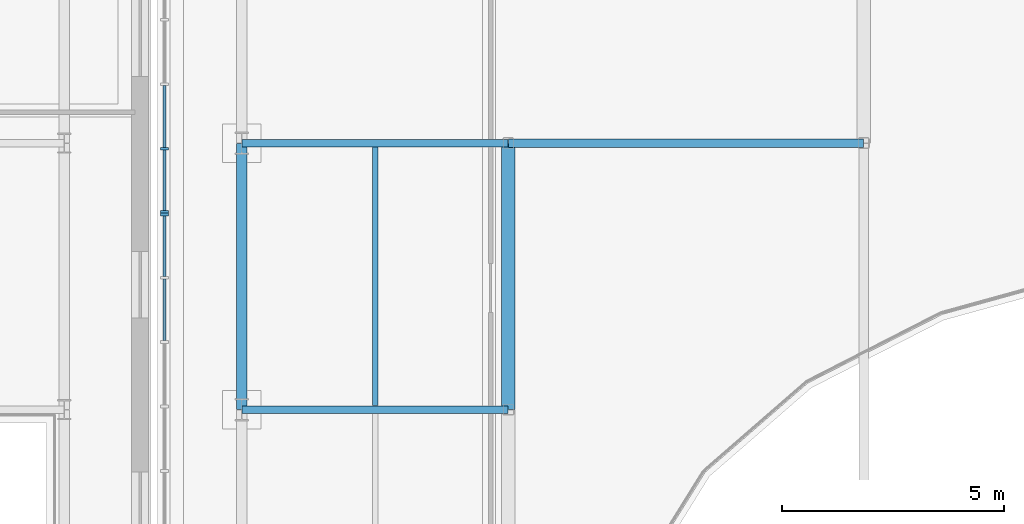
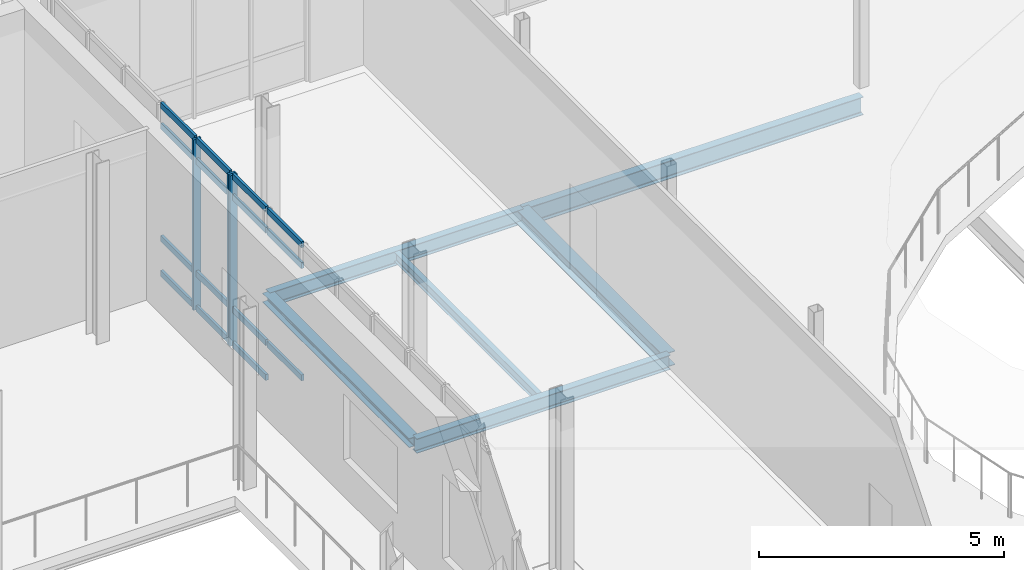
# One storey, part 19 of 100: 18 members, 6 beams, 2 elements without a shape of their own.
"""IFC4 building model written with IfcOpenShell, lengths in metres."""

from ifc_helpers import new_model, si_unit, direction, frame, origin, origin_2d, place, context, subcontext, project, spatial, rectangle, i_section, extrude, material, material_profile, profile_set, type_object, element, aggregate, save


model = new_model("IFC4")

# Units and contexts
model_context = context("Model", 3, precision=1e-05, world=origin(), true_north=direction((0.0, 1.0)))
body_context = subcontext(model_context, "Body", "Model", "MODEL_VIEW")
ifc_project = project(units=[si_unit("LENGTHUNIT", "METRE"), si_unit("AREAUNIT", "SQUARE_METRE"), si_unit("VOLUMEUNIT", "CUBIC_METRE"), si_unit("PLANEANGLEUNIT", "RADIAN"), si_unit("MASSUNIT", "GRAM", prefix="KILO")], contexts=[model_context])

# Site, building, storey
site_placement = place(None, origin())
site = spatial("IfcSite", under=ifc_project, at=site_placement, CompositionType="ELEMENT")
building_placement = place(site_placement, origin())
building = spatial("IfcBuilding", under=site, at=building_placement, Name="Cymarion Research Institute", CompositionType="ELEMENT")
storey_placement = place(building_placement, frame((0.0, 0.0, 9.300048828125)))
storey = spatial("IfcBuildingStorey", under=building, at=storey_placement, Name="L02", CompositionType="ELEMENT", Elevation=9.300048828125)

# Curtain wall, members
ifc_material_1 = material(Name="Anodised aluminium unitised curtain wall with Low-E glazing", Category="aluminium")
curtain_wall_type = type_object("IfcCurtainWallType", Name="UNITISED CURTAIN WALL CW14 7260X4250", PredefinedType="NOTDEFINED", material=ifc_material_1)
curtain_wall_1_placement = place(storey_placement, origin())
curtain_wall_1 = element("IfcCurtainWall", 1, at=curtain_wall_1_placement, inside=storey, type_object=curtain_wall_type, Name="L02 V2 unitised curtain wall CW14 #88", PredefinedType="NOTDEFINED")
ifc_material_2 = material(Name="Anodised aluminium framing", Category="aluminium")
ifc_material_profile_1 = material_profile(ifc_material_2, rectangle(XDim=0.06005859375, YDim=0.179931640625, at=origin_2d()), Name="ALU MULLION 60x180")
ifc_profile_set_1 = profile_set([ifc_material_profile_1], Name="Anodised aluminium framing")
member_type_1 = type_object("IfcMemberType", Name="CURTAIN WALL MULLION ML01 60X180", PredefinedType="MULLION", material=ifc_profile_set_1)
member_1_placement = place(storey_placement, frame((54.860107421875, 35.375244140625, 0.0), z_axis=(0.0, 0.0, 1.0), x_axis=(0.0, -1.0, 0.0)))
member_1 = element("IfcMember", 2, at=member_1_placement, type_object=member_type_1, Name="CW14 mullion 5", PredefinedType="MULLION", context=body_context, shape_type="SweptSolid", body=[
    extrude(rectangle(XDim=0.06005859375, YDim=0.179931640625, at=origin_2d()), origin(), (0.0, 0.0, 1.0), 4.25),
])
member_2_placement = place(storey_placement, frame((54.860107421875, 33.9541015625, 0.0), z_axis=(0.0, 0.0, 1.0), x_axis=(0.0, -1.0, 0.0)))
member_2 = element("IfcMember", 3, at=member_2_placement, type_object=member_type_1, Name="CW14 mullion 6", PredefinedType="MULLION", context=body_context, shape_type="SweptSolid", body=[
    extrude(rectangle(XDim=0.06005859375, YDim=0.179931640625, at=origin_2d()), origin(), (0.0, 0.0, 1.0), 4.25),
])

# Curtain wall, member
curtain_wall_2_placement = place(storey_placement, origin())
curtain_wall_2 = element("IfcCurtainWall", 4, at=curtain_wall_2_placement, inside=storey, type_object=curtain_wall_type, Name="L02 V2 unitised curtain wall CW14 #89", PredefinedType="NOTDEFINED")
member_3_placement = place(storey_placement, frame((54.860107421875, 33.89404296875, 0.0), z_axis=(0.0, 0.0, 1.0), x_axis=(0.0, -1.0, 0.0)))
member_3 = element("IfcMember", 5, at=member_3_placement, type_object=member_type_1, Name="CW14 mullion 1", PredefinedType="MULLION", context=body_context, shape_type="SweptSolid", body=[
    extrude(rectangle(XDim=0.06005859375, YDim=0.179931640625, at=origin_2d()), origin(), (0.0, 0.0, 1.0), 4.25),
])

# Member
ifc_material_profile_2 = material_profile(ifc_material_2, rectangle(XDim=0.06005859375, YDim=0.14990234375, at=origin_2d()), Name="ALU TRANSOM 60x150")
ifc_profile_set_2 = profile_set([ifc_material_profile_2], Name="Anodised aluminium framing")
member_type_2 = type_object("IfcMemberType", Name="CURTAIN WALL TRANSOM TR01 60X150", PredefinedType="USERDEFINED", material=ifc_profile_set_2)
member_4_placement = place(storey_placement, frame((54.860107421875, 36.79638671875, 0.030029296875), z_axis=(0.0, -1.0, 0.0), x_axis=(1.0, 0.0, 0.0)))
member_4 = element("IfcMember", 6, at=member_4_placement, type_object=member_type_2, Name="CW14 transom 4.1", ObjectType="TRANSOM", PredefinedType="USERDEFINED", context=body_context, shape_type="SweptSolid", body=[
    extrude(rectangle(XDim=0.06005859375, YDim=0.14990234375, at=origin_2d()), origin(), (0.0, 0.0, 1.0), 1.39111328125),
])

member_5_placement = place(storey_placement, frame((54.860107421875, 36.79638671875, 0.89990234375), z_axis=(0.0, -1.0, 0.0), x_axis=(1.0, 0.0, 0.0)))
member_5 = element("IfcMember", 7, at=member_5_placement, type_object=member_type_2, Name="CW14 transom 4.2", ObjectType="TRANSOM", PredefinedType="USERDEFINED", context=body_context, shape_type="SweptSolid", body=[
    extrude(rectangle(XDim=0.06005859375, YDim=0.14990234375, at=origin_2d()), origin(), (0.0, 0.0, 1.0), 1.39111328125),
])

member_6_placement = place(storey_placement, frame((54.860107421875, 36.79638671875, 3.699951171875), z_axis=(0.0, -1.0, 0.0), x_axis=(1.0, 0.0, 0.0)))
member_6 = element("IfcMember", 8, at=member_6_placement, type_object=member_type_2, Name="CW14 transom 4.3", ObjectType="TRANSOM", PredefinedType="USERDEFINED", context=body_context, shape_type="SweptSolid", body=[
    extrude(rectangle(XDim=0.06005859375, YDim=0.14990234375, at=origin_2d()), origin(), (0.0, 0.0, 1.0), 1.39111328125),
])

member_7_placement = place(storey_placement, frame((54.860107421875, 36.79638671875, 4.219970703125), z_axis=(0.0, -1.0, 0.0), x_axis=(1.0, 0.0, 0.0)))
member_7 = element("IfcMember", 9, at=member_7_placement, type_object=member_type_2, Name="CW14 transom 4.4", ObjectType="TRANSOM", PredefinedType="USERDEFINED", context=body_context, shape_type="SweptSolid", body=[
    extrude(rectangle(XDim=0.06005859375, YDim=0.14990234375, at=origin_2d()), origin(), (0.0, 0.0, 1.0), 1.39111328125),
])

member_8_placement = place(storey_placement, frame((54.860107421875, 35.34521484375, 0.030029296875), z_axis=(0.0, -1.0, 0.0), x_axis=(1.0, 0.0, 0.0)))
member_8 = element("IfcMember", 10, at=member_8_placement, type_object=member_type_2, Name="CW14 transom 5.1", ObjectType="TRANSOM", PredefinedType="USERDEFINED", context=body_context, shape_type="SweptSolid", body=[
    extrude(rectangle(XDim=0.06005859375, YDim=0.14990234375, at=origin_2d()), origin(), (0.0, 0.0, 1.0), 1.361328125),
])

member_9_placement = place(storey_placement, frame((54.860107421875, 35.34521484375, 0.89990234375), z_axis=(0.0, -1.0, 0.0), x_axis=(1.0, 0.0, 0.0)))
member_9 = element("IfcMember", 11, at=member_9_placement, type_object=member_type_2, Name="CW14 transom 5.2", ObjectType="TRANSOM", PredefinedType="USERDEFINED", context=body_context, shape_type="SweptSolid", body=[
    extrude(rectangle(XDim=0.06005859375, YDim=0.14990234375, at=origin_2d()), origin(), (0.0, 0.0, 1.0), 1.361328125),
])

member_10_placement = place(storey_placement, frame((54.860107421875, 35.34521484375, 3.699951171875), z_axis=(0.0, -1.0, 0.0), x_axis=(1.0, 0.0, 0.0)))
member_10 = element("IfcMember", 12, at=member_10_placement, type_object=member_type_2, Name="CW14 transom 5.3", ObjectType="TRANSOM", PredefinedType="USERDEFINED", context=body_context, shape_type="SweptSolid", body=[
    extrude(rectangle(XDim=0.06005859375, YDim=0.14990234375, at=origin_2d()), origin(), (0.0, 0.0, 1.0), 1.361328125),
])

member_11_placement = place(storey_placement, frame((54.860107421875, 35.34521484375, 4.219970703125), z_axis=(0.0, -1.0, 0.0), x_axis=(1.0, 0.0, 0.0)))
member_11 = element("IfcMember", 13, at=member_11_placement, type_object=member_type_2, Name="CW14 transom 5.4", ObjectType="TRANSOM", PredefinedType="USERDEFINED", context=body_context, shape_type="SweptSolid", body=[
    extrude(rectangle(XDim=0.06005859375, YDim=0.14990234375, at=origin_2d()), origin(), (0.0, 0.0, 1.0), 1.361328125),
])

aggregate(curtain_wall_1, [member_1, member_2, member_4, member_5, member_6, member_7, member_8, member_9, member_10, member_11])

member_12_placement = place(storey_placement, frame((54.860107421875, 33.864013671875, 0.030029296875), z_axis=(0.0, -1.0, 0.0), x_axis=(1.0, 0.0, 0.0)))
member_12 = element("IfcMember", 14, at=member_12_placement, type_object=member_type_2, Name="CW14 transom 1.1", ObjectType="TRANSOM", PredefinedType="USERDEFINED", context=body_context, shape_type="SweptSolid", body=[
    extrude(rectangle(XDim=0.06005859375, YDim=0.14990234375, at=origin_2d()), origin(), (0.0, 0.0, 1.0), 1.361328125),
])

member_13_placement = place(storey_placement, frame((54.860107421875, 33.864013671875, 0.89990234375), z_axis=(0.0, -1.0, 0.0), x_axis=(1.0, 0.0, 0.0)))
member_13 = element("IfcMember", 15, at=member_13_placement, type_object=member_type_2, Name="CW14 transom 1.2", ObjectType="TRANSOM", PredefinedType="USERDEFINED", context=body_context, shape_type="SweptSolid", body=[
    extrude(rectangle(XDim=0.06005859375, YDim=0.14990234375, at=origin_2d()), origin(), (0.0, 0.0, 1.0), 1.361328125),
])

member_14_placement = place(storey_placement, frame((54.860107421875, 33.864013671875, 3.699951171875), z_axis=(0.0, -1.0, 0.0), x_axis=(1.0, 0.0, 0.0)))
member_14 = element("IfcMember", 16, at=member_14_placement, type_object=member_type_2, Name="CW14 transom 1.3", ObjectType="TRANSOM", PredefinedType="USERDEFINED", context=body_context, shape_type="SweptSolid", body=[
    extrude(rectangle(XDim=0.06005859375, YDim=0.14990234375, at=origin_2d()), origin(), (0.0, 0.0, 1.0), 1.361328125),
])

member_15_placement = place(storey_placement, frame((54.860107421875, 33.864013671875, 4.219970703125), z_axis=(0.0, -1.0, 0.0), x_axis=(1.0, 0.0, 0.0)))
member_15 = element("IfcMember", 17, at=member_15_placement, type_object=member_type_2, Name="CW14 transom 1.4", ObjectType="TRANSOM", PredefinedType="USERDEFINED", context=body_context, shape_type="SweptSolid", body=[
    extrude(rectangle(XDim=0.06005859375, YDim=0.14990234375, at=origin_2d()), origin(), (0.0, 0.0, 1.0), 1.361328125),
])

member_16_placement = place(storey_placement, frame((54.860107421875, 32.44287109375, 0.89990234375), z_axis=(0.0, -1.0, 0.0), x_axis=(1.0, 0.0, 0.0)))
member_16 = element("IfcMember", 18, at=member_16_placement, type_object=member_type_2, Name="CW14 transom 2.2", ObjectType="TRANSOM", PredefinedType="USERDEFINED", context=body_context, shape_type="SweptSolid", body=[
    extrude(rectangle(XDim=0.06005859375, YDim=0.14990234375, at=origin_2d()), origin(), (0.0, 0.0, 1.0), 1.391357421875),
])

member_17_placement = place(storey_placement, frame((54.860107421875, 32.44287109375, 3.699951171875), z_axis=(0.0, -1.0, 0.0), x_axis=(1.0, 0.0, 0.0)))
member_17 = element("IfcMember", 19, at=member_17_placement, type_object=member_type_2, Name="CW14 transom 2.3", ObjectType="TRANSOM", PredefinedType="USERDEFINED", context=body_context, shape_type="SweptSolid", body=[
    extrude(rectangle(XDim=0.06005859375, YDim=0.14990234375, at=origin_2d()), origin(), (0.0, 0.0, 1.0), 1.391357421875),
])

member_18_placement = place(storey_placement, frame((54.860107421875, 32.44287109375, 4.219970703125), z_axis=(0.0, -1.0, 0.0), x_axis=(1.0, 0.0, 0.0)))
member_18 = element("IfcMember", 20, at=member_18_placement, type_object=member_type_2, Name="CW14 transom 2.4", ObjectType="TRANSOM", PredefinedType="USERDEFINED", context=body_context, shape_type="SweptSolid", body=[
    extrude(rectangle(XDim=0.06005859375, YDim=0.14990234375, at=origin_2d()), origin(), (0.0, 0.0, 1.0), 1.391357421875),
])

aggregate(curtain_wall_2, [member_3, member_12, member_13, member_14, member_15, member_16, member_17, member_18])

# Beams
ifc_material_3 = material(Name="Steel S355", Category="steel")
ifc_material_profile_3 = material_profile(ifc_material_3, i_section(OverallWidth=0.18994140625, OverallDepth=0.449951171875, WebThickness=0.009521484375, FlangeThickness=0.0146484375, FilletRadius=0.02099609375, at=origin_2d()), Name="IPE 450")
ifc_profile_set_3 = profile_set([ifc_material_profile_3], Name="Steel S355")
beam_type_1 = type_object("IfcBeamType", Name="PRIMARY GIRDER BM04 IPE 450", PredefinedType="BEAM", material=ifc_profile_set_3)
beam_1_placement = place(storey_placement, frame((62.60595703125, 35.5, -0.47509765625), z_axis=(1.0, 0.0, 0.0), x_axis=(0.0, 1.0, 0.0)))
element("IfcBeam", 21, at=beam_1_placement, inside=storey, type_object=beam_type_1, Name="L02 V2 girder BM04 #894", PredefinedType="BEAM", context=body_context, shape_type="SweptSolid", body=[
    extrude(i_section(OverallWidth=0.18994140625, OverallDepth=0.449951171875, WebThickness=0.009521484375, FlangeThickness=0.0146484375, FilletRadius=0.02099609375, at=origin_2d()), origin(), (0.0, 0.0, 1.0), 7.988037109375),
])
ifc_material_profile_4 = material_profile(ifc_material_3, i_section(OverallWidth=0.169921875, OverallDepth=0.360107421875, WebThickness=0.008056640625, FlangeThickness=0.0126953125, FilletRadius=0.01806640625, at=origin_2d()), Name="IPE 360")
ifc_profile_set_4 = profile_set([ifc_material_profile_4], Name="Steel S355")
beam_type_2 = type_object("IfcBeamType", Name="PRIMARY GIRDER BM06 IPE 360", PredefinedType="BEAM", material=ifc_profile_set_4)
for number, where, z_axis, x_axis, name in (
    (22, (56.60595703125, 29.5, -0.429931640625), (1.0, 0.0, 0.0), (0.0, 1.0, 0.0), "L02 V2 girder BM06 #891"),
    (23, (56.60595703125, 35.5, -0.429931640625), (1.0, 0.0, 0.0), (0.0, 1.0, 0.0), "L02 V2 girder BM06 #893"),
):
    element("IfcBeam", number, at=place(storey_placement, frame(where, z_axis=z_axis, x_axis=x_axis)), inside=storey, type_object=beam_type_2, Name=name, PredefinedType="BEAM", context=body_context, shape_type="SweptSolid", body=[
        extrude(i_section(OverallWidth=0.169921875, OverallDepth=0.360107421875, WebThickness=0.008056640625, FlangeThickness=0.0126953125, FilletRadius=0.01806640625, at=origin_2d()), origin(), (0.0, 0.0, 1.0), 5.988037109375),
    ])
ifc_material_profile_5 = material_profile(ifc_material_3, i_section(OverallWidth=0.300048828125, OverallDepth=0.35009765625, WebThickness=0.010009765625, FlangeThickness=0.017578125, FilletRadius=0.027099609375, at=origin_2d()), Name="HEA 360")
ifc_profile_set_5 = profile_set([ifc_material_profile_5], Name="Steel S355")
beam_type_3 = type_object("IfcBeamType", Name="PRIMARY GIRDER BM12 HEA 360", PredefinedType="BEAM", material=ifc_profile_set_5)
beam_2_placement = place(storey_placement, frame((62.60009765625, 29.506103515625, -0.425048828125), z_axis=(0.0, 1.0, 0.0), x_axis=(-1.0, 0.0, 0.0)))
element("IfcBeam", 24, at=beam_2_placement, inside=storey, type_object=beam_type_3, Name="L02 V2 girder BM12 #914", PredefinedType="BEAM", context=body_context, shape_type="SweptSolid", body=[
    extrude(i_section(OverallWidth=0.300048828125, OverallDepth=0.35009765625, WebThickness=0.010009765625, FlangeThickness=0.017578125, FilletRadius=0.027099609375, at=origin_2d()), origin(), (0.0, 0.0, 1.0), 5.98779296875),
])
ifc_material_profile_6 = material_profile(ifc_material_3, i_section(OverallWidth=0.1201171875, OverallDepth=0.239990234375, WebThickness=0.006103515625, FlangeThickness=0.009765625, FilletRadius=0.014892578125, at=origin_2d()), Name="IPE 240")
ifc_profile_set_6 = profile_set([ifc_material_profile_6], Name="Steel S355")
beam_type_4 = type_object("IfcBeamType", Name="SECONDARY JOIST JS04 IPE 240", PredefinedType="JOIST", material=ifc_profile_set_6)
beam_3_placement = place(storey_placement, frame((59.60009765625, 29.589111328125, -0.3701171875), z_axis=(0.0, 1.0, 0.0), x_axis=(-1.0, 0.0, 0.0)))
element("IfcBeam", 25, at=beam_3_placement, inside=storey, type_object=beam_type_4, Name="L02 V2 secondary joist JS04 #939", PredefinedType="JOIST", context=body_context, shape_type="SweptSolid", body=[
    extrude(i_section(OverallWidth=0.1201171875, OverallDepth=0.239990234375, WebThickness=0.006103515625, FlangeThickness=0.009765625, FilletRadius=0.014892578125, at=origin_2d()), origin(), (0.0, 0.0, 1.0), 5.82177734375),
])
ifc_material_profile_7 = material_profile(ifc_material_3, i_section(OverallWidth=0.239990234375, OverallDepth=0.22998046875, WebThickness=0.007568359375, FlangeThickness=0.011962890625, FilletRadius=0.02099609375, at=origin_2d()), Name="HEA 240")
ifc_profile_set_7 = profile_set([ifc_material_profile_7], Name="Steel S355")
beam_type_5 = type_object("IfcBeamType", Name="SPANDREL BEAM SPB03 HEA 240", PredefinedType="SPANDREL", material=ifc_profile_set_7)
beam_4_placement = place(storey_placement, frame((56.60009765625, 29.506103515625, -0.364990234375), z_axis=(0.0, 1.0, 0.0), x_axis=(-1.0, 0.0, 0.0)))
element("IfcBeam", 26, at=beam_4_placement, inside=storey, type_object=beam_type_5, Name="L02 V2 girder SPB03 #909", PredefinedType="SPANDREL", context=body_context, shape_type="SweptSolid", body=[
    extrude(i_section(OverallWidth=0.239990234375, OverallDepth=0.22998046875, WebThickness=0.007568359375, FlangeThickness=0.011962890625, FilletRadius=0.02099609375, at=origin_2d()), origin(), (0.0, 0.0, 1.0), 5.98779296875),
])

save(model, "model.ifc")
